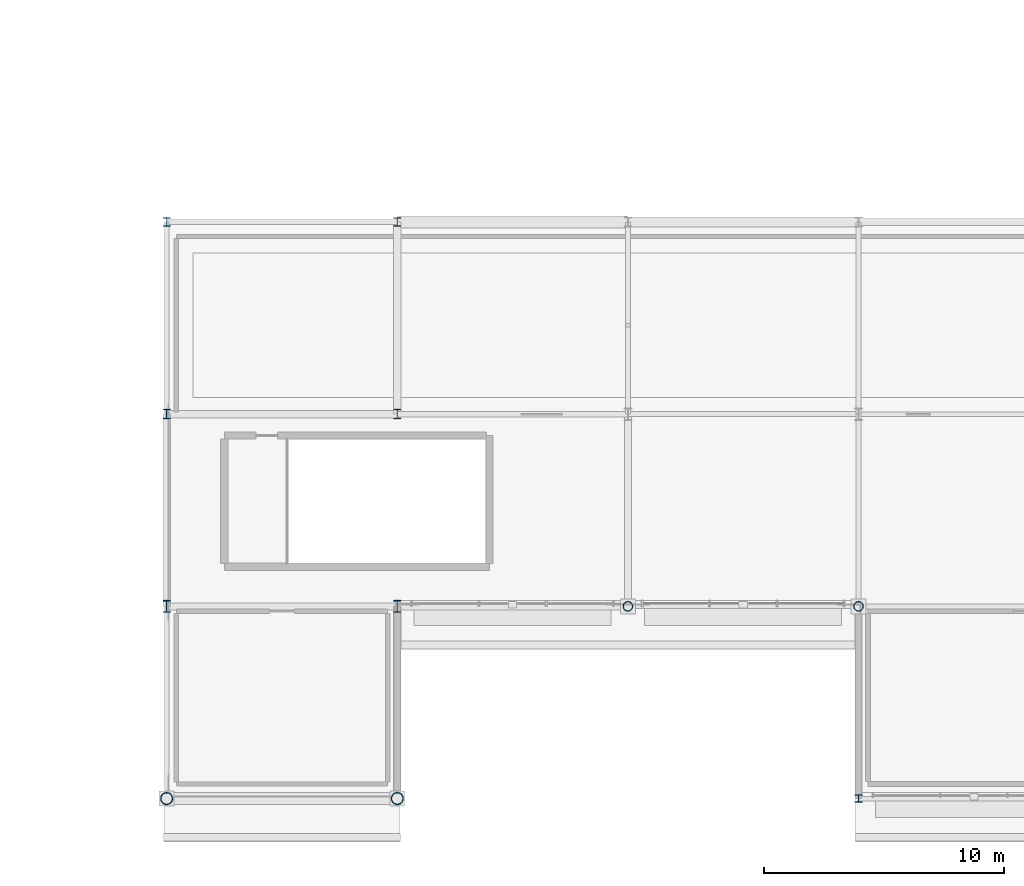
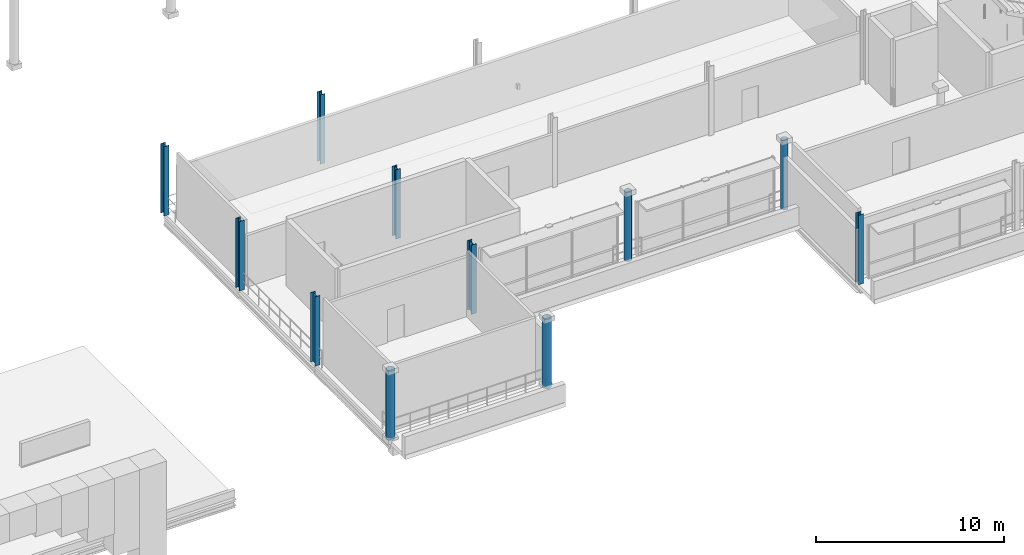
# One storey, part 10 of 193: 11 columns.
"""IFC4 building model written with IfcOpenShell, lengths in metres."""

from ifc_helpers import new_model, si_unit, direction, frame, origin, origin_2d, place, context, subcontext, project, spatial, hollow_circle, i_section, extrude, material, material_profile, profile_set, type_object, element, save


model = new_model("IFC4")

# Units and contexts
model_context = context("Model", 3, precision=1e-05, world=origin(), true_north=direction((0.0, 1.0)))
body_context = subcontext(model_context, "Body", "Model", "MODEL_VIEW")
ifc_project = project(units=[si_unit("LENGTHUNIT", "METRE"), si_unit("AREAUNIT", "SQUARE_METRE"), si_unit("VOLUMEUNIT", "CUBIC_METRE"), si_unit("PLANEANGLEUNIT", "RADIAN"), si_unit("MASSUNIT", "GRAM", prefix="KILO")], contexts=[model_context])

# Site, building, storey
site_placement = place(None, origin())
site = spatial("IfcSite", under=ifc_project, at=site_placement, CompositionType="ELEMENT")
building_placement = place(site_placement, origin())
building = spatial("IfcBuilding", under=site, at=building_placement, Name="Danafjord Basin Convention Centre", CompositionType="ELEMENT")
storey_placement = place(building_placement, frame((0.0, 0.0, 11.39990234375)))
storey = spatial("IfcBuildingStorey", under=building, at=storey_placement, Name="L02", CompositionType="ELEMENT", Elevation=11.39990234375)

# Columns
ifc_material = material(Name="Steel S355", Category="steel")
ifc_material_profile_1 = material_profile(ifc_material, hollow_circle(Radius=0.203125, WallThickness=0.02001953125, at=origin_2d()), Name="CHS 406.4x20.0")
ifc_profile_set_1 = profile_set([ifc_material_profile_1], Name="Steel S355")
column_type_1 = type_object("IfcColumnType", Name="COL-C-CHS406", PredefinedType="COLUMN", material=ifc_profile_set_1)
for number, where, z_axis, x_axis, name in (
    (1, (163.199951171875, 8.0, 0.0), (0.0, 0.0, 1.0), (1.0, 0.0, 0.0), "L02 column C-CHS406 at (163.2, 8.0)"),
    (2, (172.800048828125, 8.0, 0.0), (0.0, 0.0, 1.0), (1.0, 0.0, 0.0), "L02 column C-CHS406 at (172.8, 8.0)"),
):
    element("IfcColumn", number, at=place(storey_placement, frame(where, z_axis=z_axis, x_axis=x_axis)), inside=storey, type_object=column_type_1, Name=name, PredefinedType="COLUMN", context=body_context, shape_type="SweptSolid", body=[
        extrude(hollow_circle(Radius=0.203125, WallThickness=0.02001953125, at=origin_2d()), origin(), (0.0, 0.0, 1.0), 4.5),
    ])
ifc_material_profile_2 = material_profile(ifc_material, hollow_circle(Radius=0.25390625, WallThickness=0.02490234375, at=origin_2d()), Name="CHS 508.0x25.0")
ifc_profile_set_2 = profile_set([ifc_material_profile_2], Name="Steel S355")
column_type_2 = type_object("IfcColumnType", Name="COL-C-CHS508", PredefinedType="COLUMN", material=ifc_profile_set_2)
for number, where, z_axis, x_axis, name in (
    (3, (144.0, 0.0, 0.0), (0.0, 0.0, 1.0), (1.0, 0.0, 0.0), "L02 column C-CHS508 at (144.0, 0.0)"),
    (4, (153.60009765625, 0.0, 0.0), (0.0, 0.0, 1.0), (1.0, 0.0, 0.0), "L02 column C-CHS508 at (153.6, 0.0)"),
):
    element("IfcColumn", number, at=place(storey_placement, frame(where, z_axis=z_axis, x_axis=x_axis)), inside=storey, type_object=column_type_2, Name=name, PredefinedType="COLUMN", context=body_context, shape_type="SweptSolid", body=[
        extrude(hollow_circle(Radius=0.25390625, WallThickness=0.02490234375, at=origin_2d()), origin(), (0.0, 0.0, 1.0), 4.5),
    ])
ifc_material_profile_3 = material_profile(ifc_material, i_section(OverallWidth=0.300048828125, OverallDepth=0.300048828125, WebThickness=0.010986328125, FlangeThickness=0.01904296875, FilletRadius=0.027099609375, at=origin_2d()), Name="HEB 300")
ifc_profile_set_3 = profile_set([ifc_material_profile_3], Name="Steel S355")
column_type_3 = type_object("IfcColumnType", Name="COL-C-HEB300", PredefinedType="COLUMN", material=ifc_profile_set_3)
column_placement = place(storey_placement, frame((172.800048828125, 0.0, 0.0), z_axis=(0.0, 0.0, 1.0), x_axis=(1.0, 0.0, 0.0)))
element("IfcColumn", 5, at=column_placement, inside=storey, type_object=column_type_3, Name="L02 column C-HEB300 at (172.8, 0.0)", PredefinedType="COLUMN", context=body_context, shape_type="SweptSolid", body=[
    extrude(i_section(OverallWidth=0.300048828125, OverallDepth=0.300048828125, WebThickness=0.010986328125, FlangeThickness=0.01904296875, FilletRadius=0.027099609375, at=origin_2d()), origin(), (0.0, 0.0, 1.0), 4.5),
])
ifc_material_profile_4 = material_profile(ifc_material, i_section(OverallWidth=0.300048828125, OverallDepth=0.360107421875, WebThickness=0.012451171875, FlangeThickness=0.0224609375, FilletRadius=0.027099609375, at=origin_2d()), Name="HEB 360")
ifc_profile_set_4 = profile_set([ifc_material_profile_4], Name="Steel S355")
column_type_4 = type_object("IfcColumnType", Name="COL-C-HEB360", PredefinedType="COLUMN", material=ifc_profile_set_4)
for number, where, z_axis, x_axis, name in (
    (6, (144.0, 24.0, 0.0), (0.0, 0.0, 1.0), (1.0, 0.0, 0.0), "L02 column C-HEB360 at (144.0, 24.0)"),
    (7, (153.60009765625, 24.0, 0.0), (0.0, 0.0, 1.0), (1.0, 0.0, 0.0), "L02 column C-HEB360 at (153.6, 24.0)"),
):
    element("IfcColumn", number, at=place(storey_placement, frame(where, z_axis=z_axis, x_axis=x_axis)), inside=storey, type_object=column_type_4, Name=name, PredefinedType="COLUMN", context=body_context, shape_type="SweptSolid", body=[
        extrude(i_section(OverallWidth=0.300048828125, OverallDepth=0.360107421875, WebThickness=0.012451171875, FlangeThickness=0.0224609375, FilletRadius=0.027099609375, at=origin_2d()), origin(), (0.0, 0.0, 1.0), 4.5),
    ])
ifc_material_profile_5 = material_profile(ifc_material, i_section(OverallWidth=0.300048828125, OverallDepth=0.39990234375, WebThickness=0.013427734375, FlangeThickness=0.02392578125, FilletRadius=0.027099609375, at=origin_2d()), Name="HEB 400")
ifc_profile_set_5 = profile_set([ifc_material_profile_5], Name="Steel S355")
column_type_5 = type_object("IfcColumnType", Name="COL-C-HEB400", PredefinedType="COLUMN", material=ifc_profile_set_5)
for number, where, z_axis, x_axis, name in (
    (8, (144.0, 16.0, 0.0), (0.0, 0.0, 1.0), (1.0, 0.0, 0.0), "L02 column C-HEB400 at (144.0, 16.0)"),
    (9, (153.60009765625, 16.0, 0.0), (0.0, 0.0, 1.0), (1.0, 0.0, 0.0), "L02 column C-HEB400 at (153.6, 16.0)"),
):
    element("IfcColumn", number, at=place(storey_placement, frame(where, z_axis=z_axis, x_axis=x_axis)), inside=storey, type_object=column_type_5, Name=name, PredefinedType="COLUMN", context=body_context, shape_type="SweptSolid", body=[
        extrude(i_section(OverallWidth=0.300048828125, OverallDepth=0.39990234375, WebThickness=0.013427734375, FlangeThickness=0.02392578125, FilletRadius=0.027099609375, at=origin_2d()), origin(), (0.0, 0.0, 1.0), 4.5),
    ])
ifc_material_profile_6 = material_profile(ifc_material, i_section(OverallWidth=0.300048828125, OverallDepth=0.5, WebThickness=0.014404296875, FlangeThickness=0.028076171875, FilletRadius=0.027099609375, at=origin_2d()), Name="HEB 500")
ifc_profile_set_6 = profile_set([ifc_material_profile_6], Name="Steel S355")
column_type_6 = type_object("IfcColumnType", Name="COL-C-HEB500", PredefinedType="COLUMN", material=ifc_profile_set_6)
for number, where, z_axis, x_axis, name in (
    (10, (144.0, 8.0, 0.0), (0.0, 0.0, 1.0), (1.0, 0.0, 0.0), "L02 column C-HEB500 at (144.0, 8.0)"),
    (11, (153.60009765625, 8.0, 0.0), (0.0, 0.0, 1.0), (1.0, 0.0, 0.0), "L02 column C-HEB500 at (153.6, 8.0)"),
):
    element("IfcColumn", number, at=place(storey_placement, frame(where, z_axis=z_axis, x_axis=x_axis)), inside=storey, type_object=column_type_6, Name=name, PredefinedType="COLUMN", context=body_context, shape_type="SweptSolid", body=[
        extrude(i_section(OverallWidth=0.300048828125, OverallDepth=0.5, WebThickness=0.014404296875, FlangeThickness=0.028076171875, FilletRadius=0.027099609375, at=origin_2d()), origin(), (0.0, 0.0, 1.0), 4.5),
    ])

save(model, "model.ifc")
